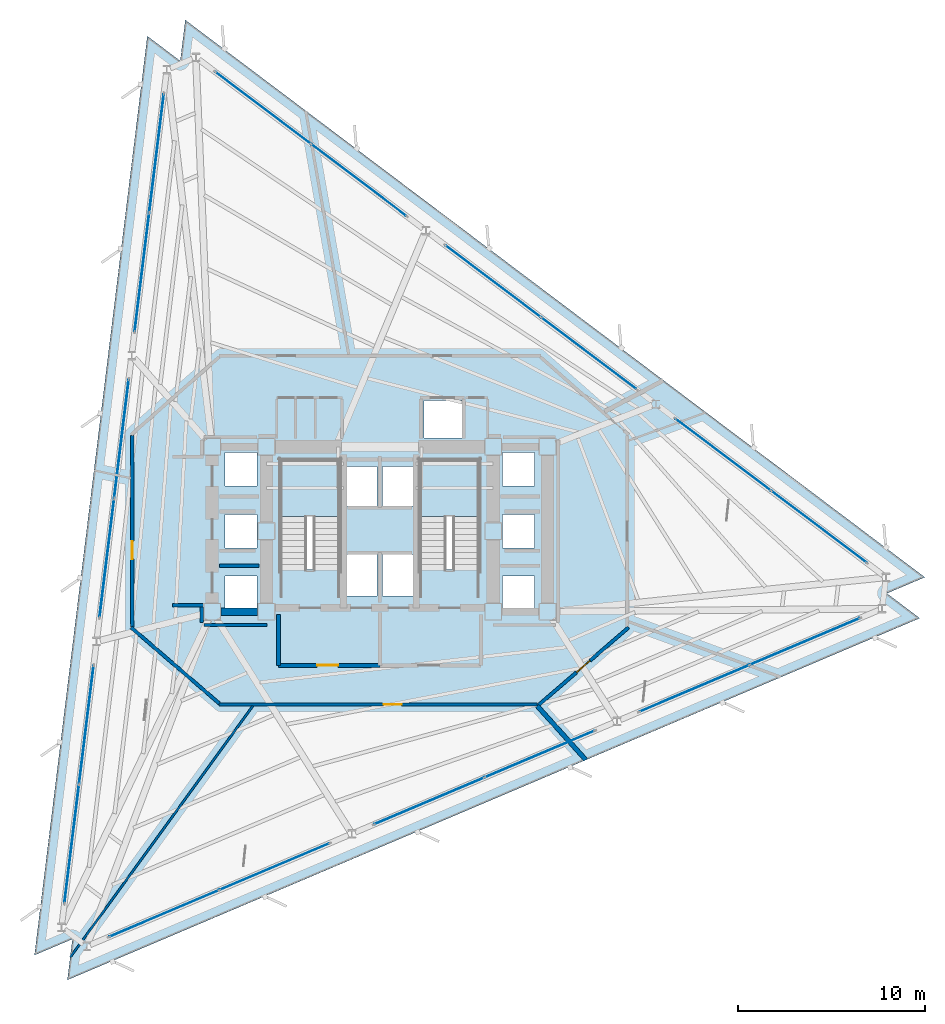
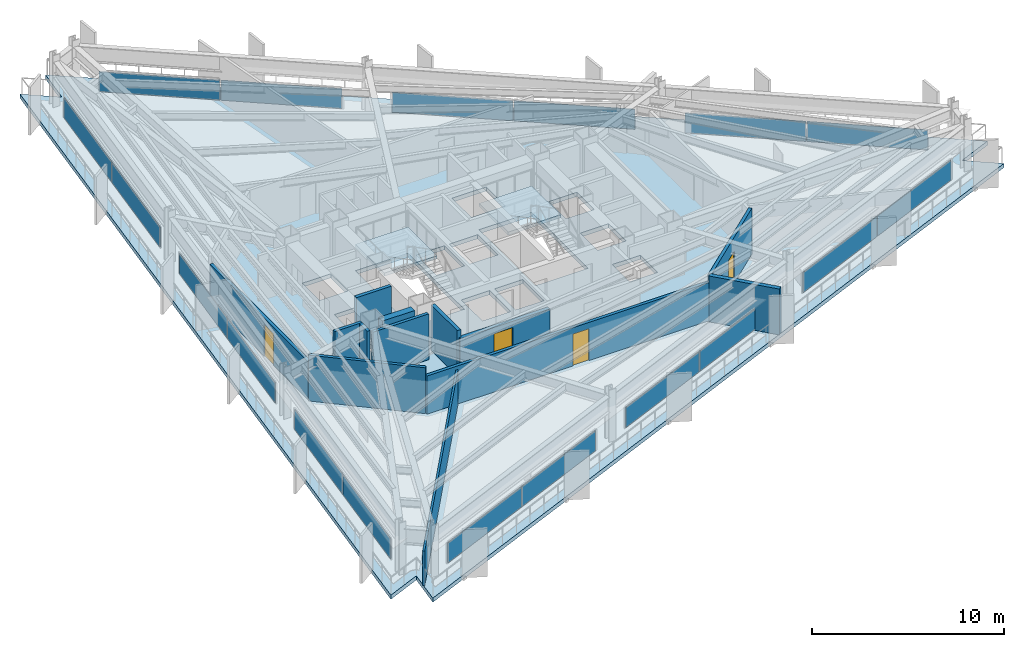
# One storey, part 6 of 13: 18 plates, 13 walls, 4 doors, 3 slabs, 4 openings, 11 elements without a shape of their own.
"""IFC4 building model written with IfcOpenShell, lengths in metres."""

import ifcopenshell
import ifcopenshell.guid

model = None  # the IFC model being written
_history = None  # IfcOwnerHistory: only IFC2X3 demands one
_inside = {}  # id of a spatial element -> (the spatial element, [elements in it])
_under = {}  # id of a project, library or spatial element -> (it, [spatial elements below it])
_declared = {}  # id of a project -> (the project, [libraries it declares])
_typed = {}  # id of a type object -> (the type object, [elements of that type])
_made_of = {}  # id of a material, layer set ... -> (it, [elements and type objects made of it])


def new_model(schema):
    """Start an empty IFC model of exactly this schema.

    Asked for "IFC4X3", IfcOpenShell would pick the latest addendum, in which some entities
    have other attributes; the version numbers below select the first issue.
    IFC2X3 requires an IfcOwnerHistory on every rooted entity: one is made here for all.
    """
    global model, _history
    if schema == "IFC4X3":
        model = ifcopenshell.file(schema_version=(4, 3, 0, 0))
    else:
        model = ifcopenshell.file(schema=schema)
    _inside.clear()
    _under.clear()
    _declared.clear()
    _typed.clear()
    _made_of.clear()
    _history = None
    if model.schema == "IFC2X3":
        org = make("IfcOrganization", Name="unknown")
        user = make(
            "IfcPersonAndOrganization",
            ThePerson=make("IfcPerson", FamilyName="unknown"),
            TheOrganization=org,
        )
        app = make(
            "IfcApplication",
            ApplicationDeveloper=org,
            Version="unknown",
            ApplicationFullName="unknown",
            ApplicationIdentifier="unknown",
        )
        _history = make(
            "IfcOwnerHistory",
            OwningUser=user,
            OwningApplication=app,
            ChangeAction="ADDED",
            CreationDate=0,
        )
    return model


def make(cls, **values):
    """One entity of the class cls with the attributes given. An attribute that is None is left unset."""
    return model.create_entity(
        cls, **{name: value for name, value in values.items() if value is not None}
    )


def rooted(cls, **values):
    """An entity with a GlobalId (a new one), such as an element, a storey or a relation."""
    return make(cls, GlobalId=ifcopenshell.guid.new(), OwnerHistory=_history, **values)


def si_unit(unit_type, name, prefix=None):
    """IfcSIUnit, for example si_unit("LENGTHUNIT", "METRE", prefix="MILLI")."""
    return make("IfcSIUnit", UnitType=unit_type, Prefix=prefix, Name=name)


def assignment(units):
    """IfcUnitAssignment: the units of a project."""
    return None if units is None else make("IfcUnitAssignment", Units=units)


def point(xyz):
    """IfcCartesianPoint."""
    return None if xyz is None else make("IfcCartesianPoint", Coordinates=xyz)


def direction(xyz):
    """IfcDirection."""
    return None if xyz is None else make("IfcDirection", DirectionRatios=xyz)


def frame(location, z_axis=None, x_axis=None):
    """IfcAxis2Placement3D, a coordinate frame: its origin and axes. An axis left out is left unset."""
    return make(
        "IfcAxis2Placement3D",
        Location=point(location),
        Axis=direction(z_axis),
        RefDirection=direction(x_axis),
    )


def frame_2d(location, x_axis=None):
    """IfcAxis2Placement2D, a coordinate frame in the plane: its origin and x axis."""
    return make(
        "IfcAxis2Placement2D", Location=point(location), RefDirection=direction(x_axis)
    )


def origin():
    """The frame at (0, 0, 0) with its axes left unset."""
    return frame((0.0, 0.0, 0.0))


def origin_2d():
    """The frame at (0, 0) in the plane with its x axis left unset."""
    return frame_2d((0.0, 0.0))


def place(relative_to, where):
    """IfcLocalPlacement: puts the frame where relative to a parent placement (None: the world)."""
    return make(
        "IfcLocalPlacement", PlacementRelTo=relative_to, RelativePlacement=where
    )


def context(
    kind, dimensions, precision=None, world=None, true_north=None, identifier=None
):
    """IfcGeometricRepresentationContext, for example the 3D "Model" context."""
    return make(
        "IfcGeometricRepresentationContext",
        ContextIdentifier=identifier,
        ContextType=kind,
        CoordinateSpaceDimension=dimensions,
        Precision=precision,
        WorldCoordinateSystem=world,
        TrueNorth=true_north,
    )


def subcontext(parent, identifier, kind, view, scale=None):
    """IfcGeometricRepresentationSubContext, for example "Body" below "Model"."""
    return make(
        "IfcGeometricRepresentationSubContext",
        ContextIdentifier=identifier,
        ContextType=kind,
        ParentContext=parent,
        TargetScale=scale,
        TargetView=view,
    )


def project(units=None, contexts=None):
    """IfcProject with its units and contexts."""
    return rooted(
        "IfcProject",
        Name="project",
        RepresentationContexts=contexts,
        UnitsInContext=assignment(units),
    )


def spatial(cls, under=None, at=None, **own):
    """A site, building, storey or space (cls), placed at a placement, below another one or the project."""
    s = rooted(cls, ObjectPlacement=at, **own)
    if under is not None:
        _under.setdefault(under.id(), (under, []))[1].append(s)
    return s


def polyline(points):
    """IfcPolyline through the points."""
    return make("IfcPolyline", Points=[point(p) for p in points])


def profile(cls, at=None, kind="AREA", **sizes):
    """A parametric profile (cls). Its sizes go by their IFC names, for example OverallWidth=200.0."""
    return make(cls, ProfileType=kind, Position=at, **sizes)


def rectangle(**sizes):
    """IfcRectangleProfileDef."""
    return profile("IfcRectangleProfileDef", **sizes)


def outline(outer, holes=None, kind="AREA"):
    """IfcArbitraryClosedProfileDef: a profile drawn as a closed curve; with holes, ...WithVoids."""
    if holes is None:
        return make("IfcArbitraryClosedProfileDef", ProfileType=kind, OuterCurve=outer)
    return make(
        "IfcArbitraryProfileDefWithVoids",
        ProfileType=kind,
        OuterCurve=outer,
        InnerCurves=holes,
    )


def extrude(swept, where, along, depth):
    """IfcExtrudedAreaSolid: the profile swept, set in the frame where, extruded along a direction by depth."""
    return make(
        "IfcExtrudedAreaSolid",
        SweptArea=swept,
        Position=where,
        ExtrudedDirection=direction(along),
        Depth=depth,
    )


def shape(context_of_items, identifier, shape_type, items):
    """IfcShapeRepresentation: the items that make up one representation, for example the "Body"."""
    return make(
        "IfcShapeRepresentation",
        ContextOfItems=context_of_items,
        RepresentationIdentifier=identifier,
        RepresentationType=shape_type,
        Items=items,
    )


def material(Name=None, Category=None):
    """IfcMaterial."""
    return make("IfcMaterial", Name=Name, Category=Category)


def layer(
    of_material, thickness, ventilated=None, Name=None, Category=None, Priority=None
):
    """IfcMaterialLayer: one layer of a wall or slab, of a material (None: an air gap)."""
    return make(
        "IfcMaterialLayer",
        Material=of_material,
        LayerThickness=thickness,
        IsVentilated=ventilated,
        Name=Name,
        Category=Category,
        Priority=Priority,
    )


def layer_set(layers, Name=None):
    """IfcMaterialLayerSet."""
    return make("IfcMaterialLayerSet", MaterialLayers=layers, LayerSetName=Name)


def made_of(thing, what):
    """Note that an element or type object is made of a material, layer set ...; save() writes the relation."""
    if what is not None:
        _made_of.setdefault(what.id(), (what, []))[1].append(thing)
    return thing


def type_object(cls, material=None, **own):
    """A type object (cls), such as IfcWallType, which elements share."""
    return made_of(rooted(cls, **own), material)


def element(
    cls,
    number,
    at=None,
    inside=None,
    cuts=None,
    type_object=None,
    material=None,
    context=None,
    identifier="Body",
    shape_type=None,
    held_by="IfcProductDefinitionShape",
    body=None,
    shapes=None,
    **own,
):
    """One element of the class cls, such as IfcWall. Its Tag is "e" and its number.

    at: its placement. inside: the storey or other place that contains it. cuts: it is an
    opening in that element (IfcRelVoidsElement). A single representation is given by context,
    identifier, shape_type and body (its items); several are given by shapes. held_by: the class
    of the entity that holds the representations. save() writes the other relations.
    """
    e = rooted(cls, Tag="e%d" % number, ObjectPlacement=at, **own)
    if body is not None:
        shapes = [shape(context, identifier, shape_type, body)]
    if shapes is not None:
        e.Representation = make(held_by, Representations=shapes)
    if inside is not None:
        _inside.setdefault(inside.id(), (inside, []))[1].append(e)
    if cuts is not None:
        rooted(
            "IfcRelVoidsElement", RelatingBuildingElement=cuts, RelatedOpeningElement=e
        )
    if type_object is not None:
        _typed.setdefault(type_object.id(), (type_object, []))[1].append(e)
    return made_of(e, material)


def fill(opening, filler):
    """IfcRelFillsElement: the door or window that sits in an opening."""
    return rooted(
        "IfcRelFillsElement",
        RelatingOpeningElement=opening,
        RelatedBuildingElement=filler,
    )


def aggregate(whole, parts):
    """IfcRelAggregates: a whole, such as a stair, and the parts it consists of."""
    return rooted("IfcRelAggregates", RelatingObject=whole, RelatedObjects=parts)


def save(model, path):
    """Write the relations noted so far, then the file.

    IfcRelAggregates (storeys below a building ...), IfcRelContainedInSpatialStructure (elements
    in a storey), IfcRelDefinesByType, IfcRelAssociatesMaterial and IfcRelDeclares: one each for
    every whole, place, type object, material and project.
    """
    for whole, parts in _under.values():
        aggregate(whole, parts)
    for where, things in _inside.values():
        rooted(
            "IfcRelContainedInSpatialStructure",
            RelatedElements=things,
            RelatingStructure=where,
        )
    for kind, things in _typed.values():
        rooted("IfcRelDefinesByType", RelatedObjects=things, RelatingType=kind)
    for what, things in _made_of.values():
        rooted("IfcRelAssociatesMaterial", RelatedObjects=things, RelatingMaterial=what)
    for by, libraries in _declared.values():
        rooted("IfcRelDeclares", RelatingContext=by, RelatedDefinitions=libraries)
    model.write(path)


model = new_model("IFC4")

# Units and contexts
model_context = context("Model", 3, precision=1e-05, world=origin(), true_north=direction((0.0, 1.0)))
body_context = subcontext(model_context, "Body", "Model", "MODEL_VIEW")
ifc_project = project(units=[si_unit("LENGTHUNIT", "METRE"), si_unit("AREAUNIT", "SQUARE_METRE"), si_unit("VOLUMEUNIT", "CUBIC_METRE"), si_unit("PLANEANGLEUNIT", "RADIAN"), si_unit("MASSUNIT", "GRAM", prefix="KILO")], contexts=[model_context])

# Site, building, storey
site_placement = place(None, origin())
site = spatial("IfcSite", under=ifc_project, at=site_placement, CompositionType="ELEMENT")
building_placement = place(site_placement, origin())
building = spatial("IfcBuilding", under=site, at=building_placement, Name="Rocaltana Carrier Exchange", CompositionType="ELEMENT")
storey_placement = place(building_placement, frame((0.0, 0.0, 73.1201171875)))
storey = spatial("IfcBuildingStorey", under=building, at=storey_placement, Name="L22", CompositionType="ELEMENT", Elevation=73.1201171875)

# Curtain wall, plates
ifc_material_1 = material(Name="Aluminium 6063-T6", Category="aluminium")
ifc_layer_1 = layer(ifc_material_1, 0.1650390625)
ifc_layer_set_1 = layer_set([ifc_layer_1], Name="Aluminium 6063-T6")
curtain_wall_type = type_object("IfcCurtainWallType", Name="Lower-Mid Stepped Curtain Wall CW-02", PredefinedType="NOTDEFINED", material=ifc_layer_set_1)
curtain_wall_1_placement = place(storey_placement, origin())
curtain_wall_1 = element("IfcCurtainWall", 1, at=curtain_wall_1_placement, inside=storey, type_object=curtain_wall_type, Name="L22 CW-02 Run CW-L22-F1S1", PredefinedType="NOTDEFINED")
ifc_material_2 = material(Name="Tempered Laminated Glass", Category="glass")
ifc_layer_2 = layer(ifc_material_2, 0.0419921875)
ifc_layer_set_2 = layer_set([ifc_layer_2], Name="Tempered Laminated Glass")
plate_type = type_object("IfcPlateType", Name="CW-02 Stone-Insulated Vision Panel", PredefinedType="CURTAIN_PANEL", material=ifc_layer_set_2)
plate_1_placement = place(storey_placement, frame((23.422607421875, 0.231201171875, 0.06494140625), z_axis=(0.0, 0.0, 1.0), x_axis=(-0.798641886792, 0.601806560833, 0.0)))
plate_1 = element("IfcPlate", 2, at=plate_1_placement, type_object=plate_type, Name="CW-02 panel 1.1", PredefinedType="CURTAIN_PANEL", context=body_context, shape_type="SweptSolid", body=[
    extrude(rectangle(XDim=6.335693359375, YDim=0.0419921875, at=origin_2d()), origin(), (0.0, 0.0, 1.0), 1.26806640625),
])
plate_2_placement = place(storey_placement, frame((18.310791015625, 4.083251953125, 0.06494140625), z_axis=(0.0, 0.0, 1.0), x_axis=(-0.798641886792, 0.601806560833, 0.0)))
plate_2 = element("IfcPlate", 3, at=plate_2_placement, type_object=plate_type, Name="CW-02 panel 2.1", PredefinedType="CURTAIN_PANEL", context=body_context, shape_type="SweptSolid", body=[
    extrude(rectangle(XDim=6.335693359375, YDim=0.0419921875, at=origin_2d()), origin(), (0.0, 0.0, 1.0), 1.26806640625),
])
aggregate(curtain_wall_1, [plate_1, plate_2])

curtain_wall_2_placement = place(storey_placement, origin())
curtain_wall_2 = element("IfcCurtainWall", 4, at=curtain_wall_2_placement, inside=storey, type_object=curtain_wall_type, Name="L22 CW-02 Run CW-L22-F1S2", PredefinedType="NOTDEFINED")
plate_3_placement = place(storey_placement, frame((11.150390625, 9.47900390625, 0.06494140625), z_axis=(0.0, 0.0, 1.0), x_axis=(-0.798635336443, 0.601815253533, 0.0)))
plate_3 = element("IfcPlate", 5, at=plate_3_placement, type_object=plate_type, Name="CW-02 panel 1.1", PredefinedType="CURTAIN_PANEL", context=body_context, shape_type="SweptSolid", body=[
    extrude(rectangle(XDim=6.335693359375, YDim=0.0419921875, at=origin_2d()), origin(), (0.0, 0.0, 1.0), 1.26806640625),
])
plate_4_placement = place(storey_placement, frame((6.038330078125, 13.3310546875, 0.06494140625), z_axis=(0.0, 0.0, 1.0), x_axis=(-0.798635336443, 0.601815253533, 0.0)))
plate_4 = element("IfcPlate", 6, at=plate_4_placement, type_object=plate_type, Name="CW-02 panel 2.1", PredefinedType="CURTAIN_PANEL", context=body_context, shape_type="SweptSolid", body=[
    extrude(rectangle(XDim=6.335693359375, YDim=0.0419921875, at=origin_2d()), origin(), (0.0, 0.0, 1.0), 1.26806640625),
])
aggregate(curtain_wall_2, [plate_3, plate_4])

curtain_wall_3_placement = place(storey_placement, origin())
curtain_wall_3 = element("IfcCurtainWall", 7, at=curtain_wall_3_placement, inside=storey, type_object=curtain_wall_type, Name="L22 CW-02 Run CW-L22-F1S3", PredefinedType="NOTDEFINED")
plate_5_placement = place(storey_placement, frame((-1.1220703125, 18.726806640625, 0.06494140625), z_axis=(0.0, 0.0, 1.0), x_axis=(-0.79863815132, 0.601811518049, 0.0)))
plate_5 = element("IfcPlate", 8, at=plate_5_placement, type_object=plate_type, Name="CW-02 panel 1.1", PredefinedType="CURTAIN_PANEL", context=body_context, shape_type="SweptSolid", body=[
    extrude(rectangle(XDim=6.3359375, YDim=0.0419921875, at=origin_2d()), origin(), (0.0, 0.0, 1.0), 1.26806640625),
])
plate_6_placement = place(storey_placement, frame((-6.23388671875, 22.5791015625, 0.06494140625), z_axis=(0.0, 0.0, 1.0), x_axis=(-0.79863815132, 0.601811518049, 0.0)))
plate_6 = element("IfcPlate", 9, at=plate_6_placement, type_object=plate_type, Name="CW-02 panel 2.1", PredefinedType="CURTAIN_PANEL", context=body_context, shape_type="SweptSolid", body=[
    extrude(rectangle(XDim=6.3359375, YDim=0.0419921875, at=origin_2d()), origin(), (0.0, 0.0, 1.0), 1.26806640625),
])
aggregate(curtain_wall_3, [plate_5, plate_6])

curtain_wall_4_placement = place(storey_placement, origin())
curtain_wall_4 = element("IfcCurtainWall", 10, at=curtain_wall_4_placement, inside=storey, type_object=curtain_wall_type, Name="L22 CW-02 Run CW-L22-F2S1", PredefinedType="NOTDEFINED")
plate_7_placement = place(storey_placement, frame((-11.91162109375, 20.169189453125, 0.06494140625), z_axis=(0.0, 0.0, 1.0), x_axis=(-0.121872630343, -0.992545748051, 0.0)))
plate_7 = element("IfcPlate", 11, at=plate_7_placement, type_object=plate_type, Name="CW-02 panel 1.1", PredefinedType="CURTAIN_PANEL", context=body_context, shape_type="SweptSolid", body=[
    extrude(rectangle(XDim=6.3359375, YDim=0.0419921875, at=origin_2d()), origin(), (0.0, 0.0, 1.0), 1.26806640625),
])
plate_8_placement = place(storey_placement, frame((-12.691650390625, 13.81591796875, 0.06494140625), z_axis=(0.0, 0.0, 1.0), x_axis=(-0.121872630343, -0.992545748051, 0.0)))
plate_8 = element("IfcPlate", 12, at=plate_8_placement, type_object=plate_type, Name="CW-02 panel 2.1", PredefinedType="CURTAIN_PANEL", context=body_context, shape_type="SweptSolid", body=[
    extrude(rectangle(XDim=6.3359375, YDim=0.0419921875, at=origin_2d()), origin(), (0.0, 0.0, 1.0), 1.26806640625),
])
aggregate(curtain_wall_4, [plate_7, plate_8])

curtain_wall_5_placement = place(storey_placement, origin())
curtain_wall_5 = element("IfcCurtainWall", 13, at=curtain_wall_5_placement, inside=storey, type_object=curtain_wall_type, Name="L22 CW-02 Run CW-L22-F2S2", PredefinedType="NOTDEFINED")
plate_9_placement = place(storey_placement, frame((-13.7841796875, 4.9169921875, 0.06494140625), z_axis=(0.0, 0.0, 1.0), x_axis=(-0.121873570472, -0.992545632614, 0.0)))
plate_9 = element("IfcPlate", 14, at=plate_9_placement, type_object=plate_type, Name="CW-02 panel 1.1", PredefinedType="CURTAIN_PANEL", context=body_context, shape_type="SweptSolid", body=[
    extrude(rectangle(XDim=6.335693359375, YDim=0.0419921875, at=origin_2d()), origin(), (0.0, 0.0, 1.0), 1.26806640625),
])
plate_10_placement = place(storey_placement, frame((-14.564208984375, -1.436279296875, 0.06494140625), z_axis=(0.0, 0.0, 1.0), x_axis=(-0.121873570472, -0.992545632614, 0.0)))
plate_10 = element("IfcPlate", 15, at=plate_10_placement, type_object=plate_type, Name="CW-02 panel 2.1", PredefinedType="CURTAIN_PANEL", context=body_context, shape_type="SweptSolid", body=[
    extrude(rectangle(XDim=6.335693359375, YDim=0.0419921875, at=origin_2d()), origin(), (0.0, 0.0, 1.0), 1.26806640625),
])
aggregate(curtain_wall_5, [plate_9, plate_10])

curtain_wall_6_placement = place(storey_placement, origin())
curtain_wall_6 = element("IfcCurtainWall", 16, at=curtain_wall_6_placement, inside=storey, type_object=curtain_wall_type, Name="L22 CW-02 Run CW-L22-F2S3", PredefinedType="NOTDEFINED")
plate_11_placement = place(storey_placement, frame((-15.656982421875, -10.335205078125, 0.06494140625), z_axis=(0.0, 0.0, 1.0), x_axis=(-0.121881227076, -0.992544692438, 0.0)))
plate_11 = element("IfcPlate", 17, at=plate_11_placement, type_object=plate_type, Name="CW-02 panel 1.1", PredefinedType="CURTAIN_PANEL", context=body_context, shape_type="SweptSolid", body=[
    extrude(rectangle(XDim=6.335693359375, YDim=0.0419921875, at=origin_2d()), origin(), (0.0, 0.0, 1.0), 1.26806640625),
])
plate_12_placement = place(storey_placement, frame((-16.43701171875, -16.688232421875, 0.06494140625), z_axis=(0.0, 0.0, 1.0), x_axis=(-0.121881227076, -0.992544692438, 0.0)))
plate_12 = element("IfcPlate", 18, at=plate_12_placement, type_object=plate_type, Name="CW-02 panel 2.1", PredefinedType="CURTAIN_PANEL", context=body_context, shape_type="SweptSolid", body=[
    extrude(rectangle(XDim=6.335693359375, YDim=0.0419921875, at=origin_2d()), origin(), (0.0, 0.0, 1.0), 1.26806640625),
])
aggregate(curtain_wall_6, [plate_11, plate_12])

curtain_wall_7_placement = place(storey_placement, origin())
curtain_wall_7 = element("IfcCurtainWall", 19, at=curtain_wall_7_placement, inside=storey, type_object=curtain_wall_type, Name="L22 CW-02 Run CW-L22-F3S1", PredefinedType="NOTDEFINED")
plate_13_placement = place(storey_placement, frame((-11.51123046875, -20.400146484375, 0.06494140625), z_axis=(0.0, 0.0, 1.0), x_axis=(0.920505895435, 0.390728673724, 0.0)))
plate_13 = element("IfcPlate", 20, at=plate_13_placement, type_object=plate_type, Name="CW-02 panel 1.1", PredefinedType="CURTAIN_PANEL", context=body_context, shape_type="SweptSolid", body=[
    extrude(rectangle(XDim=6.3359375, YDim=0.0419921875, at=origin_2d()), origin(), (0.0, 0.0, 1.0), 1.26806640625),
])
plate_14_placement = place(storey_placement, frame((-5.619140625, -17.899169921875, 0.06494140625), z_axis=(0.0, 0.0, 1.0), x_axis=(0.920505895435, 0.390728673724, 0.0)))
plate_14 = element("IfcPlate", 21, at=plate_14_placement, type_object=plate_type, Name="CW-02 panel 2.1", PredefinedType="CURTAIN_PANEL", context=body_context, shape_type="SweptSolid", body=[
    extrude(rectangle(XDim=6.3359375, YDim=0.0419921875, at=origin_2d()), origin(), (0.0, 0.0, 1.0), 1.26806640625),
])
aggregate(curtain_wall_7, [plate_13, plate_14])

curtain_wall_8_placement = place(storey_placement, origin())
curtain_wall_8 = element("IfcCurtainWall", 22, at=curtain_wall_8_placement, inside=storey, type_object=curtain_wall_type, Name="L22 CW-02 Run CW-L22-F3S2", PredefinedType="NOTDEFINED")
plate_15_placement = place(storey_placement, frame((2.634033203125, -14.39599609375, 0.06494140625), z_axis=(0.0, 0.0, 1.0), x_axis=(0.920505895435, 0.390728673724, 0.0)))
plate_15 = element("IfcPlate", 23, at=plate_15_placement, type_object=plate_type, Name="CW-02 panel 1.1", PredefinedType="CURTAIN_PANEL", context=body_context, shape_type="SweptSolid", body=[
    extrude(rectangle(XDim=6.3359375, YDim=0.0419921875, at=origin_2d()), origin(), (0.0, 0.0, 1.0), 1.26806640625),
])
plate_16_placement = place(storey_placement, frame((8.52587890625, -11.89501953125, 0.06494140625), z_axis=(0.0, 0.0, 1.0), x_axis=(0.920505895435, 0.390728673724, 0.0)))
plate_16 = element("IfcPlate", 24, at=plate_16_placement, type_object=plate_type, Name="CW-02 panel 2.1", PredefinedType="CURTAIN_PANEL", context=body_context, shape_type="SweptSolid", body=[
    extrude(rectangle(XDim=6.3359375, YDim=0.0419921875, at=origin_2d()), origin(), (0.0, 0.0, 1.0), 1.26806640625),
])
aggregate(curtain_wall_8, [plate_15, plate_16])

curtain_wall_9_placement = place(storey_placement, origin())
curtain_wall_9 = element("IfcCurtainWall", 25, at=curtain_wall_9_placement, inside=storey, type_object=curtain_wall_type, Name="L22 CW-02 Run CW-L22-F3S3", PredefinedType="NOTDEFINED")
plate_17_placement = place(storey_placement, frame((16.779052734375, -8.391845703125, 0.06494140625), z_axis=(0.0, 0.0, 1.0), x_axis=(0.920503100084, 0.390735259141, 0.0)))
plate_17 = element("IfcPlate", 26, at=plate_17_placement, type_object=plate_type, Name="CW-02 panel 1.1", PredefinedType="CURTAIN_PANEL", context=body_context, shape_type="SweptSolid", body=[
    extrude(rectangle(XDim=6.3359375, YDim=0.0419921875, at=origin_2d()), origin(), (0.0, 0.0, 1.0), 1.26806640625),
])
plate_18_placement = place(storey_placement, frame((22.671142578125, -5.890625, 0.06494140625), z_axis=(0.0, 0.0, 1.0), x_axis=(0.920503100084, 0.390735259141, 0.0)))
plate_18 = element("IfcPlate", 27, at=plate_18_placement, type_object=plate_type, Name="CW-02 panel 2.1", PredefinedType="CURTAIN_PANEL", context=body_context, shape_type="SweptSolid", body=[
    extrude(rectangle(XDim=6.3359375, YDim=0.0419921875, at=origin_2d()), origin(), (0.0, 0.0, 1.0), 1.26806640625),
])
aggregate(curtain_wall_9, [plate_17, plate_18])

# Slab
ifc_material_3 = material(Name="Concrete C60/75", Category="concrete")
ifc_layer_3 = layer(ifc_material_3, 0.260009765625)
ifc_layer_set_3 = layer_set([ifc_layer_3], Name="Concrete C60/75")
slab_type_1 = type_object("IfcSlabType", Name="Low-Zone Tower Slab 260", PredefinedType="FLOOR", material=ifc_layer_set_3)
slab_1_placement = place(storey_placement, frame((0.0, 0.0, -0.260009765625)))
element("IfcSlab", 28, at=slab_1_placement, inside=storey, type_object=slab_type_1, Name="L22 Structural Floor Slab", PredefinedType="FLOOR", context=body_context, shape_type="SweptSolid", body=[
    extrude(outline(polyline([(28.8046875, -4.64501953125), (27.0478515625, -3.321044921875), (29.072998046875, -2.46142578125), (-10.379638671875, 27.268310546875), (-10.647705078125, 25.084716796875), (-12.40478515625, 26.40869140625), (-18.425048828125, -22.623291015625), (-16.39990234375, -21.763671875), (-16.668212890625, -23.947265625), (28.8046875, -4.64501953125)]), holes=[polyline([(-5.300048828125, -2.06005859375), (-2.139892578125, -2.06005859375), (-2.139892578125, 3.800048828125), (-5.300048828125, 3.800048828125), (-5.300048828125, -2.06005859375)]), polyline([(2.139892578125, -2.06005859375), (5.300048828125, -2.06005859375), (5.300048828125, 3.800048828125), (2.139892578125, 3.800048828125), (2.139892578125, -2.06005859375)]), polyline([(-1.85009765625, -3.449951171875), (-0.14990234375, -3.449951171875), (-0.14990234375, -1.25), (-1.85009765625, -1.25), (-1.85009765625, -3.449951171875)]), polyline([(0.14990234375, -3.449951171875), (1.85009765625, -3.449951171875), (1.85009765625, -1.25), (0.14990234375, -1.25), (0.14990234375, -3.449951171875)]), polyline([(2.35009765625, 4.97998046875), (4.39990234375, 4.97998046875), (4.39990234375, 6.97998046875), (2.35009765625, 6.97998046875), (2.35009765625, 4.97998046875)]), polyline([(-1.85009765625, 1.35009765625), (-0.14990234375, 1.35009765625), (-0.14990234375, 3.449951171875), (-1.85009765625, 3.449951171875), (-1.85009765625, 1.35009765625)]), polyline([(0.14990234375, 1.35009765625), (1.85009765625, 1.35009765625), (1.85009765625, 3.449951171875), (0.14990234375, 3.449951171875), (0.14990234375, 1.35009765625)]), polyline([(-8.25, -4.199951171875), (-6.550048828125, -4.199951171875), (-6.550048828125, -2.39990234375), (-8.25, -2.39990234375), (-8.25, -4.199951171875)]), polyline([(-8.25, -0.89990234375), (-6.550048828125, -0.89990234375), (-6.550048828125, 0.89990234375), (-8.25, 0.89990234375), (-8.25, -0.89990234375)]), polyline([(-8.25, 2.39990234375), (-6.550048828125, 2.39990234375), (-6.550048828125, 4.199951171875), (-8.25, 4.199951171875), (-8.25, 2.39990234375)]), polyline([(6.550048828125, -4.199951171875), (8.25, -4.199951171875), (8.25, -2.39990234375), (6.550048828125, -2.39990234375), (6.550048828125, -4.199951171875)]), polyline([(6.550048828125, -0.89990234375), (8.25, -0.89990234375), (8.25, 0.89990234375), (6.550048828125, 0.89990234375), (6.550048828125, -0.89990234375)]), polyline([(6.550048828125, 2.39990234375), (8.25, 2.39990234375), (8.25, 4.199951171875), (6.550048828125, 4.199951171875), (6.550048828125, 2.39990234375)])]), origin(), (0.0, 0.0, 1.0), 0.260009765625),
])

# Stair, slab
ifc_material_4 = material(Name="Precast concrete C45/55", Category="concrete")
stair_type = type_object("IfcStairType", Name="Standard Dog-Leg Stair 160", PredefinedType="HALF_TURN_STAIR", material=ifc_material_4)
stair_1_placement = place(storey_placement, origin())
stair_1 = element("IfcStair", 29, at=stair_1_placement, inside=storey, type_object=stair_type, Name="L22 Core West Exit Stair ST-1", PredefinedType="HALF_TURN_STAIR")
ifc_material_5 = material(Name="Precast concrete C45/55", Category="concrete")
ifc_layer_4 = layer(ifc_material_5, 0.199951171875)
ifc_layer_set_4 = layer_set([ifc_layer_4], Name="Precast concrete C45/55")
slab_type_2 = type_object("IfcSlabType", Name="Precast Stair Half-Landing 200", PredefinedType="LANDING", material=ifc_layer_set_4)
slab_2_placement = place(storey_placement, frame((0.0, 0.0, 1.47998046875)))
slab_2 = element("IfcSlab", 30, at=slab_2_placement, type_object=slab_type_2, Name="ST-1 landing 1", PredefinedType="LANDING", context=body_context, shape_type="SweptSolid", body=[
    extrude(outline(polyline([(-2.139892578125, 0.780029296875), (-2.139892578125, 3.800048828125), (-5.300048828125, 3.800048828125), (-5.300048828125, 0.780029296875), (-2.139892578125, 0.780029296875)])), origin(), (0.0, 0.0, 1.0), 0.199951171875),
])
aggregate(stair_1, [slab_2])

stair_2_placement = place(storey_placement, origin())
stair_2 = element("IfcStair", 31, at=stair_2_placement, inside=storey, type_object=stair_type, Name="L22 Core East Exit Stair ST-2", PredefinedType="HALF_TURN_STAIR")
slab_3_placement = place(storey_placement, frame((0.0, 0.0, 1.47998046875)))
slab_3 = element("IfcSlab", 32, at=slab_3_placement, type_object=slab_type_2, Name="ST-2 landing 1", PredefinedType="LANDING", context=body_context, shape_type="SweptSolid", body=[
    extrude(outline(polyline([(5.300048828125, 0.780029296875), (5.300048828125, 3.800048828125), (2.139892578125, 3.800048828125), (2.139892578125, 0.780029296875), (5.300048828125, 0.780029296875)])), origin(), (0.0, 0.0, 1.0), 0.199951171875),
])
aggregate(stair_2, [slab_3])

# Wall
ifc_material_6 = material(Name="Concrete C50/60", Category="concrete")
ifc_layer_5 = layer(ifc_material_6, 0.39990234375)
ifc_layer_set_5 = layer_set([ifc_layer_5], Name="Concrete C50/60")
wall_type_1 = type_object("IfcWallType", Name="Core Internal Shear Wall 400", PredefinedType="SHEAR", material=ifc_layer_set_5)
wall_1_placement = place(storey_placement, frame((-8.47509765625, -4.300048828125, 0.0), z_axis=(0.0, 0.0, 1.0), x_axis=(1.0, 0.0, 0.0)))
element("IfcWall", 33, at=wall_1_placement, inside=storey, type_object=wall_type_1, Name="L22 Core Shear Wall CW-WWS", PredefinedType="SHEAR", context=body_context, shape_type="SweptSolid", body=[
    extrude(rectangle(XDim=1.9501953125, YDim=0.39990234375, at=frame_2d((0.97509765625, 0.0))), origin(), (0.0, 0.0, 1.0), 2.93798828125),
])

# Wall, opening, door
ifc_material_7 = material(Name="Gypsum & Steel Stud Partition", Category="steel")
ifc_layer_6 = layer(ifc_material_7, 0.179931640625)
ifc_layer_set_6 = layer_set([ifc_layer_6], Name="Gypsum & Steel Stud Partition")
wall_type_2 = type_object("IfcWallType", Name="Corridor Fire Partition 180 EI60", PredefinedType="PARTITIONING", material=ifc_layer_set_6)
wall_2_placement = place(storey_placement, frame((13.268310546875, -5.14111328125, 0.0), z_axis=(0.0, 0.0, 1.0), x_axis=(-0.757534501725, -0.65279512766, 0.0)))
wall_2 = element("IfcWall", 34, at=wall_2_placement, inside=storey, type_object=wall_type_2, Name="L22 Corridor Partition 4", PredefinedType="PARTITIONING", context=body_context, shape_type="SweptSolid", body=[
    extrude(rectangle(XDim=6.384521484375, YDim=0.179931640625, at=frame_2d((3.1923828125, 0.0))), origin(), (0.0, 0.0, 1.0), 2.912841796875),
])
opening_1_placement = place(wall_2_placement, frame((2.712158203125, 0.0, 0.0)))
opening_1 = element("IfcOpeningElement", 35, at=opening_1_placement, cuts=wall_2, Name="Opening D-RM098", PredefinedType="OPENING", context=body_context, shape_type="SweptSolid", body=[
    extrude(rectangle(XDim=0.9599609375, YDim=2.02001953125, at=frame_2d((0.47998046875, 1.010009765625))), frame((0.0, 0.099853515625, 0.0), z_axis=(0.0, -1.0, 0.0), x_axis=(1.0, 0.0, 0.0)), (0.0, 0.0, 1.0), 0.199951171875),
])
ifc_material_8 = material(Name="Engineered Hardwood Timber", Category="wood")
door_type_1 = type_object("IfcDoorType", Name="Workspace Single Door 960x2020", OperationType="NOTDEFINED", PredefinedType="DOOR", material=ifc_material_8)
door_1_placement = place(opening_1_placement, origin())
door_1 = element("IfcDoor", 36, at=door_1_placement, inside=storey, type_object=door_type_1, Name="L22 Cloud Architecture Office Entrance Door", OperationType="SINGLE_SWING_LEFT", OverallHeight=2.02001953125, OverallWidth=0.9599609375, PredefinedType="DOOR", context=body_context, shape_type="SweptSolid", body=[
    extrude(rectangle(XDim=0.9599609375, YDim=2.02001953125, at=frame_2d((0.47998046875, 1.010009765625))), frame((0.0, 0.02490234375, 0.0), z_axis=(0.0, -1.0, 0.0), x_axis=(1.0, 0.0, 0.0)), (0.0, 0.0, 1.0), 0.050048828125),
])
fill(opening_1, door_1)

wall_3_placement = place(storey_placement, frame((8.409912109375, -9.25, 0.0), z_axis=(0.0, 0.0, 1.0), x_axis=(-1.0, 0.0, 0.0)))
wall_3 = element("IfcWall", 37, at=wall_3_placement, inside=storey, type_object=wall_type_2, Name="L22 Corridor Partition 5", PredefinedType="PARTITIONING", context=body_context, shape_type="SweptSolid", body=[
    extrude(rectangle(XDim=17.0, YDim=0.179931640625, at=frame_2d((8.5, 0.0))), origin(), (0.0, 0.0, 1.0), 2.427001953125),
])
opening_2_placement = place(wall_3_placement, frame((7.252197265625, 0.0, 0.0)))
opening_2 = element("IfcOpeningElement", 38, at=opening_2_placement, cuts=wall_3, Name="Opening D-RM098", PredefinedType="OPENING", context=body_context, shape_type="SweptSolid", body=[
    extrude(rectangle(XDim=0.9599609375, YDim=2.02001953125, at=frame_2d((0.47998046875, 1.010009765625))), frame((0.0, 0.099853515625, 0.0), z_axis=(0.0, -1.0, 0.0), x_axis=(1.0, 0.0, 0.0)), (0.0, 0.0, 1.0), 0.199951171875),
])
door_2_placement = place(opening_2_placement, origin())
door_2 = element("IfcDoor", 39, at=door_2_placement, inside=storey, type_object=door_type_1, Name="L22 Network Operations Office Entrance Door", OperationType="SINGLE_SWING_RIGHT", OverallHeight=2.02001953125, OverallWidth=0.9599609375, PredefinedType="DOOR", context=body_context, shape_type="SweptSolid", body=[
    extrude(rectangle(XDim=0.9599609375, YDim=2.02001953125, at=frame_2d((0.47998046875, 1.010009765625))), frame((0.0, 0.02490234375, 0.0), z_axis=(0.0, -1.0, 0.0), x_axis=(1.0, 0.0, 0.0)), (0.0, 0.0, 1.0), 0.050048828125),
])
fill(opening_2, door_2)

# Wall
wall_4_placement = place(storey_placement, frame((-8.568115234375, -9.191162109375, 0.0), z_axis=(0.0, 0.0, 1.0), x_axis=(-0.757556899173, 0.652769135694, 0.0)))
element("IfcWall", 40, at=wall_4_placement, inside=storey, type_object=wall_type_2, Name="L22 Corridor Partition 6", PredefinedType="PARTITIONING", context=body_context, shape_type="SweptSolid", body=[
    extrude(rectangle(XDim=6.204345703125, YDim=0.179931640625, at=frame_2d((3.10205078125, 0.0))), origin(), (0.0, 0.0, 1.0), 2.912841796875),
])

# Wall, opening, door
wall_5_placement = place(storey_placement, frame((-13.199951171875, -5.110107421875, 0.0), z_axis=(0.0, 0.0, 1.0), x_axis=(0.0, 1.0, 0.0)))
wall_5 = element("IfcWall", 41, at=wall_5_placement, inside=storey, type_object=wall_type_2, Name="L22 Corridor Partition 7", PredefinedType="PARTITIONING", context=body_context, shape_type="SweptSolid", body=[
    extrude(rectangle(XDim=10.22021484375, YDim=0.179931640625, at=frame_2d((5.110107421875, 0.0))), origin(), (0.0, 0.0, 1.0), 2.427001953125),
])
opening_3_placement = place(wall_5_placement, frame((3.61572265625, 0.0, 0.0)))
opening_3 = element("IfcOpeningElement", 42, at=opening_3_placement, cuts=wall_5, Name="Opening D-RM098", PredefinedType="OPENING", context=body_context, shape_type="SweptSolid", body=[
    extrude(rectangle(XDim=0.9599609375, YDim=2.02001953125, at=frame_2d((0.47998046875, 1.010009765625))), frame((0.0, 0.099853515625, 0.0), z_axis=(0.0, -1.0, 0.0), x_axis=(1.0, 0.0, 0.0)), (0.0, 0.0, 1.0), 0.199951171875),
])
door_3_placement = place(opening_3_placement, origin())
door_3 = element("IfcDoor", 43, at=door_3_placement, inside=storey, type_object=door_type_1, Name="L22 Cloud Architecture Office Entrance Door", OperationType="SINGLE_SWING_LEFT", OverallHeight=2.02001953125, OverallWidth=0.9599609375, PredefinedType="DOOR", context=body_context, shape_type="SweptSolid", body=[
    extrude(rectangle(XDim=0.9599609375, YDim=2.02001953125, at=frame_2d((0.47998046875, 1.010009765625))), frame((0.0, 0.02490234375, 0.0), z_axis=(0.0, -1.0, 0.0), x_axis=(1.0, 0.0, 0.0)), (0.0, 0.0, 1.0), 0.050048828125),
])
fill(opening_3, door_3)

# Walls
wall_6_placement = place(storey_placement, frame((-11.070068359375, -3.9599609375, 0.0), z_axis=(0.0, 0.0, 1.0), x_axis=(1.0, 0.0, 0.0)))
element("IfcWall", 44, at=wall_6_placement, inside=storey, type_object=wall_type_2, Name="L22 Corridor Partition 11", PredefinedType="PARTITIONING", context=body_context, shape_type="SweptSolid", body=[
    extrude(rectangle(XDim=1.650146484375, YDim=0.179931640625, at=frame_2d((0.8251953125, 0.0))), origin(), (0.0, 0.0, 1.0), 2.912841796875),
])
wall_7_placement = place(storey_placement, frame((-9.510009765625, -4.050048828125, 0.0), z_axis=(0.0, 0.0, 1.0), x_axis=(0.0, -1.0, 0.0)))
element("IfcWall", 45, at=wall_7_placement, inside=storey, type_object=wall_type_2, Name="L22 Corridor Partition 12", PredefinedType="PARTITIONING", context=body_context, shape_type="SweptSolid", body=[
    extrude(rectangle(XDim=0.820068359375, YDim=0.179931640625, at=frame_2d((0.41015625, 0.0))), origin(), (0.0, 0.0, 1.0), 2.912841796875),
])
wall_8_placement = place(storey_placement, frame((-9.3701171875, -5.010009765625, 0.0), z_axis=(0.0, 0.0, 1.0), x_axis=(1.0, 0.0, 0.0)))
element("IfcWall", 46, at=wall_8_placement, inside=storey, type_object=wall_type_2, Name="L22 Corridor Partition 13", PredefinedType="PARTITIONING", context=body_context, shape_type="SweptSolid", body=[
    extrude(rectangle(XDim=3.340087890625, YDim=0.179931640625, at=frame_2d((1.669921875, 0.0))), origin(), (0.0, 0.0, 1.0), 2.912841796875),
])
ifc_material_9 = material(Name="Aluminium 6063-T6 & Acoustic Glass", Category="aluminium")
ifc_layer_7 = layer(ifc_material_9, 0.114990234375)
ifc_layer_set_7 = layer_set([ifc_layer_7], Name="Aluminium 6063-T6 & Acoustic Glass")
wall_type_3 = type_object("IfcWallType", Name="Demountable Glazed Lab Partition 115", PredefinedType="MOVABLE", material=ifc_layer_set_7)
wall_9_placement = place(storey_placement, frame((-6.778564453125, -9.330078125, 0.0), z_axis=(0.0, 0.0, 1.0), x_axis=(-0.587788360635, -0.809014736023, 0.0)))
element("IfcWall", 47, at=wall_9_placement, inside=storey, type_object=wall_type_3, Name="L22 Suite Divider Wall D1", PredefinedType="MOVABLE", context=body_context, shape_type="SweptSolid", body=[
    extrude(rectangle(XDim=16.551513671875, YDim=0.114990234375, at=frame_2d((8.27587890625, 0.0))), origin(), (0.0, 0.0, 1.0), 2.197998046875),
])
ifc_material_10 = material(Name="Autoclaved Aerated Concrete C30/37", Category="concrete")
ifc_layer_8 = layer(ifc_material_10, 0.219970703125)
ifc_layer_set_8 = layer_set([ifc_layer_8], Name="Autoclaved Aerated Concrete C30/37")
wall_type_4 = type_object("IfcWallType", Name="Firefighting Lobby Wall 220 EI120", PredefinedType="PARTITIONING", material=ifc_layer_set_8)
wall_10_placement = place(storey_placement, frame((-5.39990234375, -7.159912109375, 0.0), z_axis=(0.0, 0.0, 1.0), x_axis=(0.0, 1.0, 0.0)))
element("IfcWall", 48, at=wall_10_placement, inside=storey, type_object=wall_type_4, Name="L22 FFL Lobby 1 West Wall", PredefinedType="PARTITIONING", context=body_context, shape_type="SweptSolid", body=[
    extrude(rectangle(XDim=2.7099609375, YDim=0.219970703125, at=frame_2d((1.35498046875, 0.0))), origin(), (0.0, 0.0, 1.0), 2.912841796875),
])

# Wall, opening, door
wall_11_placement = place(storey_placement, frame((-5.39990234375, -7.159912109375, 0.0), z_axis=(0.0, 0.0, 1.0), x_axis=(1.0, 0.0, 0.0)))
wall_11 = element("IfcWall", 49, at=wall_11_placement, inside=storey, type_object=wall_type_4, Name="L22 FFL Lobby 1 South Wall", PredefinedType="PARTITIONING", context=body_context, shape_type="SweptSolid", body=[
    extrude(rectangle(XDim=5.39990234375, YDim=0.219970703125, at=frame_2d((2.699951171875, 0.0))), origin(), (0.0, 0.0, 1.0), 2.427001953125),
])
opening_4_placement = place(wall_11_placement, frame((2.050048828125, 0.0, 0.0)))
opening_4 = element("IfcOpeningElement", 50, at=opening_4_placement, cuts=wall_11, Name="Opening D-FF115", PredefinedType="OPENING", context=body_context, shape_type="SweptSolid", body=[
    extrude(rectangle(XDim=1.1201171875, YDim=2.02001953125, at=frame_2d((0.56005859375, 1.010009765625))), frame((0.0, 0.119873046875, 0.0), z_axis=(0.0, -1.0, 0.0), x_axis=(1.0, 0.0, 0.0)), (0.0, 0.0, 1.0), 0.239990234375),
])
ifc_material_11 = material(Name="Hollow Metal Fire Door Assembly", Category="steel")
door_type_2 = type_object("IfcDoorType", Name="Firefighting Lobby Door 1120x2020 FD60S", OperationType="NOTDEFINED", PredefinedType="DOOR", material=ifc_material_11)
door_4_placement = place(opening_4_placement, origin())
door_4 = element("IfcDoor", 51, at=door_4_placement, inside=storey, type_object=door_type_2, Name="L22 Firefighting Lift Lobby 1 Door", OperationType="SINGLE_SWING_LEFT", OverallHeight=2.02001953125, OverallWidth=1.1201171875, PredefinedType="DOOR", context=body_context, shape_type="SweptSolid", body=[
    extrude(rectangle(XDim=1.1201171875, YDim=2.02001953125, at=frame_2d((0.56005859375, 1.010009765625))), frame((0.0, 0.02490234375, 0.0), z_axis=(0.0, -1.0, 0.0), x_axis=(1.0, 0.0, 0.0)), (0.0, 0.0, 1.0), 0.050048828125),
])
fill(opening_4, door_4)

# Walls
ifc_material_12 = material(Name="Acoustic Calcium Silicate Partition", Category="gypsum")
ifc_layer_9 = layer(ifc_material_12, 0.239990234375)
ifc_layer_set_9 = layer_set([ifc_layer_9], Name="Acoustic Calcium Silicate Partition")
wall_type_5 = type_object("IfcWallType", Name="Heavy Lab Partition 240 EI90", PredefinedType="PARTITIONING", material=ifc_layer_set_9)
wall_12_placement = place(storey_placement, frame((8.40087890625, -9.330078125, 0.0), z_axis=(0.0, 0.0, 1.0), x_axis=(0.669139425, -0.743136885043, 0.0)))
element("IfcWall", 52, at=wall_12_placement, inside=storey, type_object=wall_type_5, Name="L22 Suite Divider Wall D2", PredefinedType="PARTITIONING", context=body_context, shape_type="SweptSolid", body=[
    extrude(rectangle(XDim=3.860107421875, YDim=0.239990234375, at=frame_2d((1.93017578125, 0.0))), origin(), (0.0, 0.0, 1.0), 2.912841796875),
])
ifc_material_13 = material(Name="Reinforced Concrete Block C35/45", Category="concrete")
ifc_layer_10 = layer(ifc_material_13, 0.199951171875)
ifc_layer_set_10 = layer_set([ifc_layer_10], Name="Reinforced Concrete Block C35/45")
wall_type_6 = type_object("IfcWallType", Name="Lift Hoistway Enclosure Wall 200 EI120", PredefinedType="PARTITIONING", material=ifc_layer_set_10)
wall_13_placement = place(storey_placement, frame((-8.550048828125, -1.85009765625, 0.0), z_axis=(0.0, 0.0, 1.0), x_axis=(1.0, 0.0, 0.0)))
element("IfcWall", 53, at=wall_13_placement, inside=storey, type_object=wall_type_6, Name="L22 Low-Rise Shaft Divider 1", PredefinedType="PARTITIONING", context=body_context, shape_type="SweptSolid", body=[
    extrude(rectangle(XDim=2.10009765625, YDim=0.199951171875, at=frame_2d((1.050048828125, 0.0))), origin(), (0.0, 0.0, 1.0), 2.912841796875),
])

save(model, "model.ifc")
